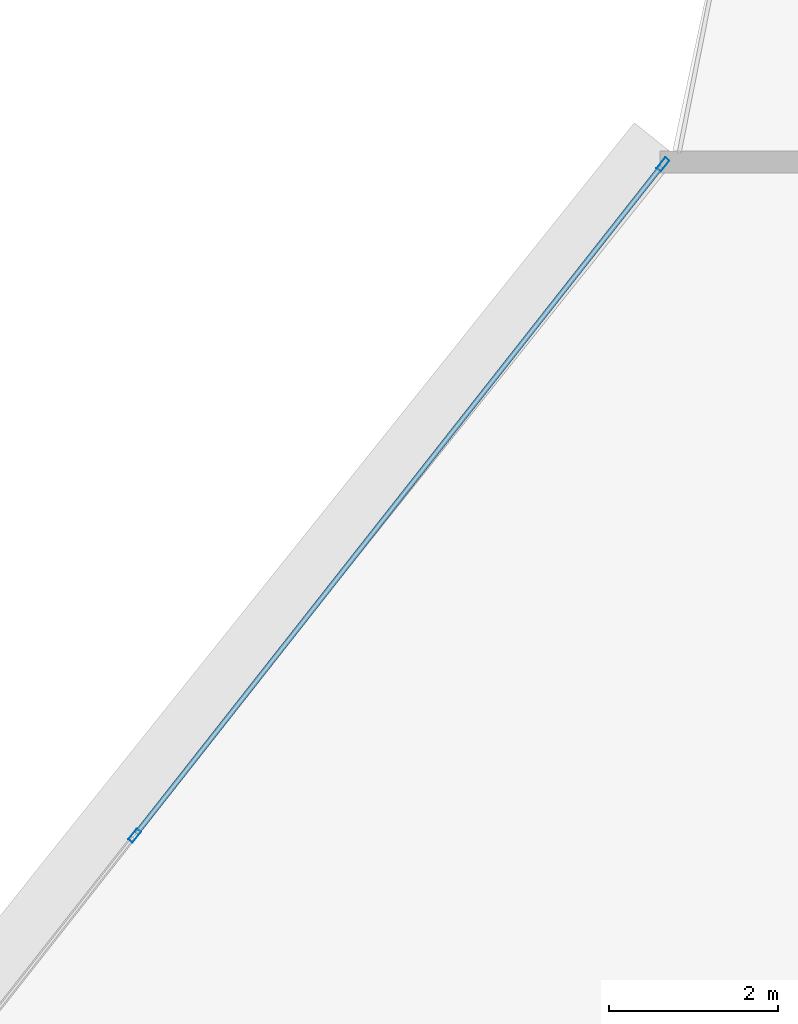
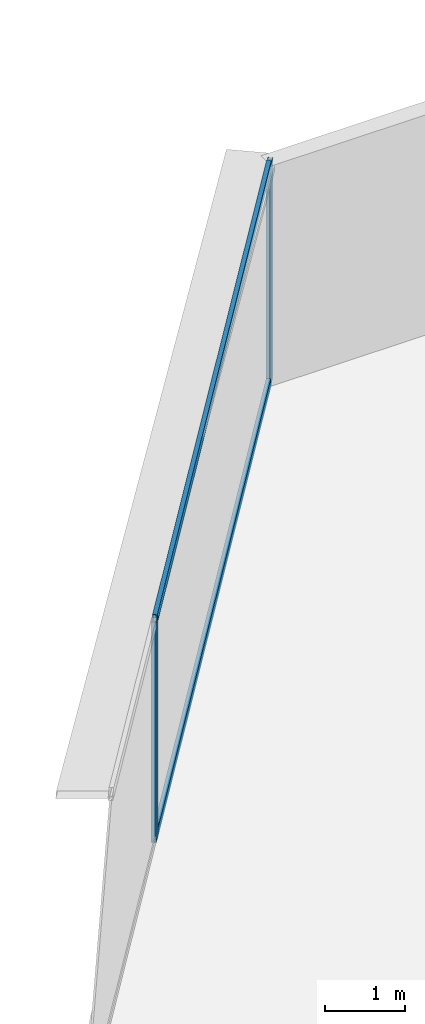
# One storey, part 27 of 42: 4 members, 1 element without a shape of its own.
"""IFC4 building model written with IfcOpenShell, lengths in metres."""

from ifc_helpers import new_model, si_unit, direction, frame, origin, origin_2d, place, context, subcontext, project, spatial, hollow_rectangle, extrude, source, transform, mapped, material, layer, layer_set, material_profile, profile_set, type_object, element, aggregate, save


model = new_model("IFC4")

# Units and contexts
model_context = context("Model", 3, precision=1e-05, world=origin(), true_north=direction((0.0, 1.0)))
body_context = subcontext(model_context, "Body", "Model", "MODEL_VIEW")
ifc_project = project(units=[si_unit("LENGTHUNIT", "METRE"), si_unit("AREAUNIT", "SQUARE_METRE"), si_unit("VOLUMEUNIT", "CUBIC_METRE"), si_unit("PLANEANGLEUNIT", "RADIAN"), si_unit("MASSUNIT", "GRAM", prefix="KILO"), si_unit("THERMODYNAMICTEMPERATUREUNIT", "KELVIN"), si_unit("POWERUNIT", "WATT")], contexts=[model_context])

# Site, building, storey
site_placement = place(None, origin())
site = spatial("IfcSite", under=ifc_project, at=site_placement, CompositionType="ELEMENT")
building_placement = place(site_placement, origin())
building = spatial("IfcBuilding", under=site, at=building_placement, Name="Yunzhuo Pagoda Commons", CompositionType="ELEMENT")
storey_placement = place(building_placement, frame((0.0, 0.0, 44.919921875)))
storey = spatial("IfcBuildingStorey", under=building, at=storey_placement, Name="L11", CompositionType="ELEMENT", Elevation=44.919921875)

# Curtain wall, members
ifc_material = material(Name="Anodized aluminium 6063-T6", Category="aluminium")
ifc_layer = layer(ifc_material, 0.1650390625)
ifc_layer_set = layer_set([ifc_layer], Name="Anodized aluminium 6063-T6")
curtain_wall_type = type_object("IfcCurtainWallType", Name="CW-LOW Low-Zone Ribbon Curtain Wall", PredefinedType="NOTDEFINED", material=ifc_layer_set)
curtain_wall_placement = place(storey_placement, origin())
curtain_wall = element("IfcCurtainWall", 1, at=curtain_wall_placement, inside=storey, type_object=curtain_wall_type, Name="L11 curtain wall CW-L11-F3B1", PredefinedType="NOTDEFINED")
ifc_material_profile_1 = material_profile(ifc_material, hollow_rectangle(XDim=0.06494140625, YDim=0.1650390625, WallThickness=0.00390625, at=origin_2d()), Name="Anodized aluminium 6063-T6")
ifc_profile_set_1 = profile_set([ifc_material_profile_1], Name="Anodized aluminium 6063-T6")
member_type_1 = type_object("IfcMemberType", Name="CW-LOW-M Mullion RHS 165x65x4", PredefinedType="MULLION", material=ifc_profile_set_1)
shared_shape_1 = source(origin(), body_context, "Body", "SweptSolid", [
    extrude(hollow_rectangle(XDim=0.06494140625, YDim=0.1650390625, WallThickness=0.00390625, at=origin_2d()), origin(), (0.0, 0.0, 1.0), 3.3701171875),
])
member_1_placement = place(storey_placement, frame((43.26171875, 88.5400390625, 0.0), z_axis=(0.0, 0.0, 1.0), x_axis=(0.785883026265, -0.61837518468, 0.0)))
member_1 = element("IfcMember", 2, at=member_1_placement, type_object=member_type_1, Name="CW mullion 1", PredefinedType="MULLION", context=body_context, shape_type="MappedRepresentation", body=[
    mapped(shared_shape_1, transform((0.0, 0.0, 0.0), scale=1.0)),
])
member_2_placement = place(storey_placement, frame((37.011474609375, 80.5966796875, 0.0), z_axis=(0.0, 0.0, 1.0), x_axis=(0.785883026265, -0.61837518468, 0.0)))
member_2 = element("IfcMember", 3, at=member_2_placement, type_object=member_type_1, Name="CW mullion 2", PredefinedType="MULLION", context=body_context, shape_type="MappedRepresentation", body=[
    mapped(shared_shape_1, transform((0.0, 0.0, 0.0), scale=1.0)),
])
ifc_material_profile_2 = material_profile(ifc_material, hollow_rectangle(XDim=0.06005859375, YDim=0.139892578125, WallThickness=0.00341796875, at=origin_2d()), Name="Anodized aluminium 6063-T6")
ifc_profile_set_2 = profile_set([ifc_material_profile_2], Name="Anodized aluminium 6063-T6")
member_type_2 = type_object("IfcMemberType", Name="CW-LOW-T Transom RHS 140x60x3.5", PredefinedType="USERDEFINED", material=ifc_profile_set_2)
shared_shape_2 = source(origin(), body_context, "Body", "SweptSolid", [
    extrude(hollow_rectangle(XDim=0.06005859375, YDim=0.139892578125, WallThickness=0.00341796875, at=origin_2d()), origin(), (0.0, 0.0, 1.0), 10.04248046875),
])
member_3_placement = place(storey_placement, frame((43.241455078125, 88.514404296875, 0.030029296875), z_axis=(-0.618365747767, -0.785890451646, 0.0), x_axis=(0.785890451646, -0.618365747767, 0.0)))
member_3 = element("IfcMember", 4, at=member_3_placement, type_object=member_type_2, Name="CW transom 1.1", ObjectType="TRANSOM", PredefinedType="USERDEFINED", context=body_context, shape_type="MappedRepresentation", body=[
    mapped(shared_shape_2, transform((0.0, 0.0, 0.0), scale=1.0)),
])
member_4_placement = place(storey_placement, frame((43.241455078125, 88.514404296875, 3.340087890625), z_axis=(-0.618365747767, -0.785890451646, 0.0), x_axis=(0.785890451646, -0.618365747767, 0.0)))
member_4 = element("IfcMember", 5, at=member_4_placement, type_object=member_type_2, Name="CW transom 1.2", ObjectType="TRANSOM", PredefinedType="USERDEFINED", context=body_context, shape_type="MappedRepresentation", body=[
    mapped(shared_shape_2, transform((0.0, 0.0, 0.0), scale=1.0)),
])
aggregate(curtain_wall, [member_1, member_2, member_3, member_4])

save(model, "model.ifc")
